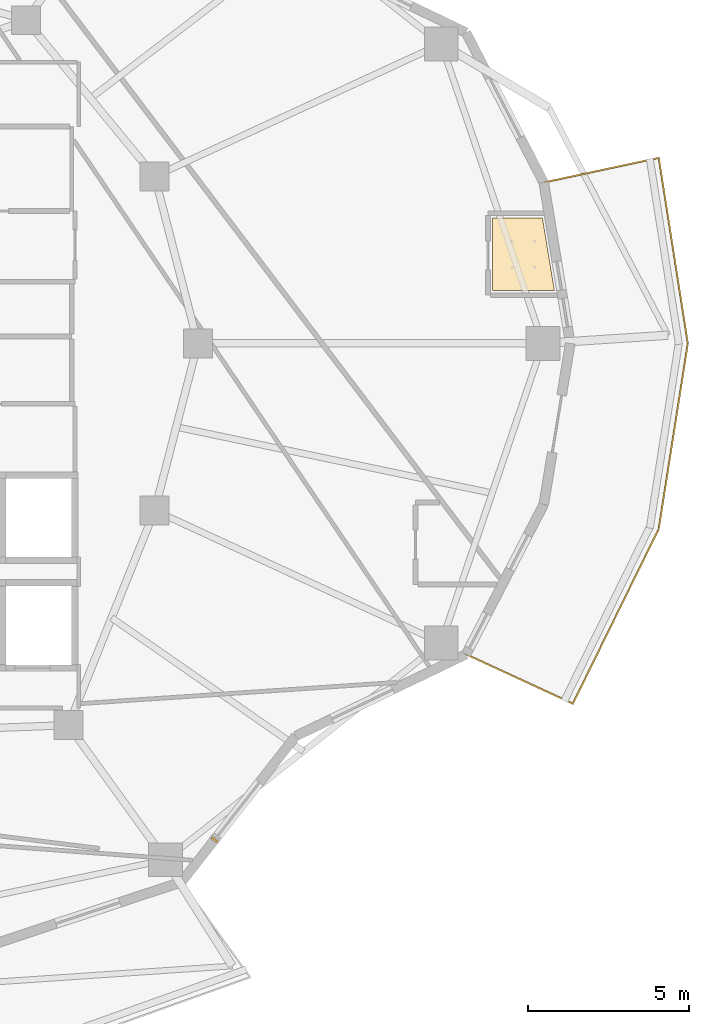
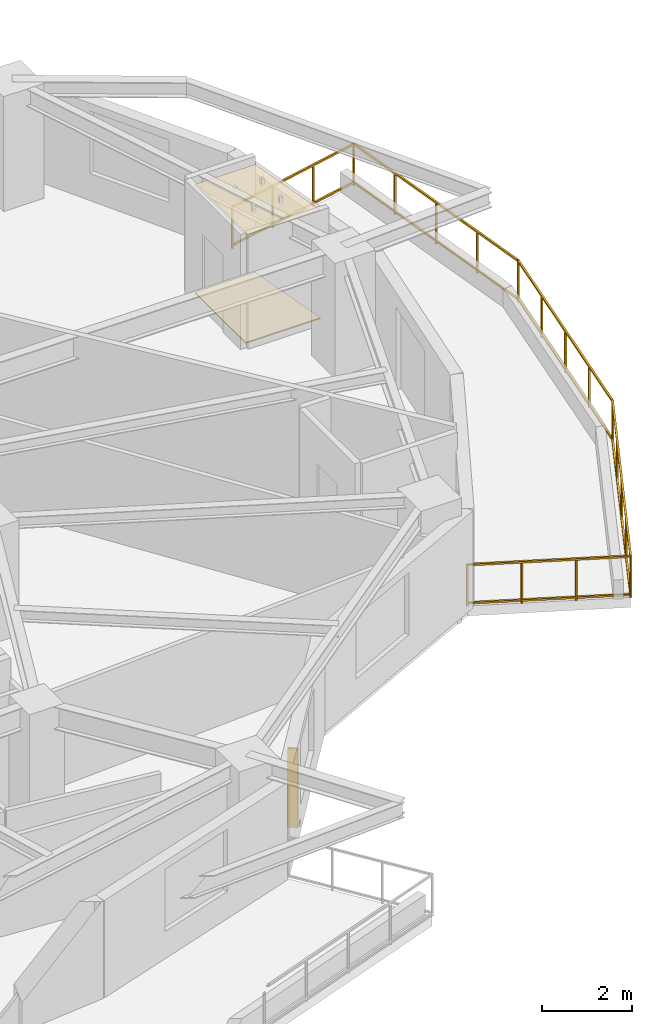
# One storey, part 15 of 17: 2 coverings, 1 railing, 1 shading device.
"""IFC4 building model written with IfcOpenShell, lengths in metres."""

from ifc_helpers import new_model, si_unit, direction, frame, origin, origin_2d, place, context, subcontext, project, spatial, polyline, rectangle, outline, extrude, material, layer, layer_set, type_object, element, save


model = new_model("IFC4")

# Units and contexts
model_context = context("Model", 3, precision=1e-05, world=origin(), true_north=direction((0.0, 1.0)))
body_context = subcontext(model_context, "Body", "Model", "MODEL_VIEW")
ifc_project = project(units=[si_unit("LENGTHUNIT", "METRE"), si_unit("AREAUNIT", "SQUARE_METRE"), si_unit("VOLUMEUNIT", "CUBIC_METRE"), si_unit("PLANEANGLEUNIT", "RADIAN"), si_unit("MASSUNIT", "GRAM", prefix="KILO")], contexts=[model_context])

# Site, building, storey
site_placement = place(None, origin())
site = spatial("IfcSite", under=ifc_project, at=site_placement, CompositionType="ELEMENT")
building_placement = place(site_placement, origin())
building = spatial("IfcBuilding", under=site, at=building_placement, Name="Kolvaren Gate Tower and Convention Centre", CompositionType="ELEMENT")
storey_placement = place(building_placement, frame((0.0, 0.0, 125.699951171875)))
storey = spatial("IfcBuildingStorey", under=building, at=storey_placement, Name="L31", CompositionType="ELEMENT", Elevation=125.699951171875)

# Coverings
ifc_material_1 = material(Name="Perforated Mineral-Fibre Acoustic Ceiling Tile 18 mm", Category="gypsum")
ifc_layer_1 = layer(ifc_material_1, 0.01806640625)
ifc_layer_set_1 = layer_set([ifc_layer_1], Name="Perforated Mineral-Fibre Acoustic Ceiling Tile 18 mm")
covering_type_1 = type_object("IfcCoveringType", Name="ARCH-COV-CEIL-18", PredefinedType="CEILING", material=ifc_layer_set_1)
covering_1_placement = place(storey_placement, frame((0.0, 0.0, 2.949951171875)))
element("IfcCovering", 1, at=covering_1_placement, inside=storey, type_object=covering_type_1, Name="En-suite Bathroom (HTL-L31-06) Acoustic Suspended Ceiling", PredefinedType="CEILING", context=body_context, shape_type="SweptSolid", body=[
    extrude(outline(polyline([(51.889892578125, 28.639892578125), (51.889892578125, 30.909912109375), (53.446044921875, 30.909912109375), (53.820068359375, 28.639892578125), (51.889892578125, 28.639892578125)])), origin(), (0.0, 0.0, 1.0), 0.01806640625),
])
ifc_material_2 = material(Name="Honed Sabana Limestone Terrazzo Flooring 30 mm", Category="masonry")
ifc_layer_2 = layer(ifc_material_2, 0.030029296875)
ifc_layer_set_2 = layer_set([ifc_layer_2], Name="Honed Sabana Limestone Terrazzo Flooring 30 mm")
covering_type_2 = type_object("IfcCoveringType", Name="ARCH-COV-FLR-30", PredefinedType="FLOORING", material=ifc_layer_set_2)
covering_2_placement = place(storey_placement, origin())
element("IfcCovering", 2, at=covering_2_placement, inside=storey, type_object=covering_type_2, Name="En-suite Bathroom (HTL-L31-06) Interior Finish Flooring", PredefinedType="FLOORING", context=body_context, shape_type="SweptSolid", body=[
    extrude(outline(polyline([(51.889892578125, 28.639892578125), (51.889892578125, 30.909912109375), (53.446044921875, 30.909912109375), (53.820068359375, 28.639892578125), (51.889892578125, 28.639892578125)])), origin(), (0.0, 0.0, 1.0), 0.030029296875),
])

# Railing
ifc_material_3 = material(Name="Brushed Stainless Steel Grade 316L", Category="steel")
railing_type = type_object("IfcRailingType", Name="ARCH-RL-GUARD-1150", PredefinedType="GUARDRAIL", material=ifc_material_3)
railing_placement = place(storey_placement, frame((51.072021484375, 17.324951171875, 0.0)))
element("IfcRailing", 3, at=railing_placement, inside=storey, type_object=railing_type, Name="Tower L31 Terrace Perimeter Guardrail GR-4", PredefinedType="GUARDRAIL", context=body_context, shape_type="SweptSolid", body=[
    extrude(rectangle(XDim=0.048095703125, YDim=0.048095703125, at=origin_2d()), frame((0.025390625, -0.01171875, 1.1259765625), z_axis=(0.907846116663, -0.419303503993, 0.0), x_axis=(0.419303503993, 0.907846116663, 0.0)), (0.0, 0.0, 1.0), 3.60400390625),
    extrude(rectangle(XDim=0.048095703125, YDim=0.048095703125, at=origin_2d()), frame((0.025390625, -0.01171875, 0.083984375), z_axis=(0.907846116663, -0.419303503993, 0.0), x_axis=(0.419303503993, 0.907846116663, 0.0)), (0.0, 0.0, 1.0), 3.60400390625),
    extrude(rectangle(XDim=0.048095703125, YDim=0.048095703125, at=origin_2d()), frame((3.335205078125, -1.509521484375, 1.1259765625), z_axis=(0.441237167293, 0.897390529368, 0.0), x_axis=(-0.897390529368, 0.441237167293, 0.0)), (0.0, 0.0, 1.0), 5.999755859375),
    extrude(rectangle(XDim=0.048095703125, YDim=0.048095703125, at=origin_2d()), frame((3.335205078125, -1.509521484375, 0.083984375), z_axis=(0.441237167293, 0.897390529368, 0.0), x_axis=(-0.897390529368, 0.441237167293, 0.0)), (0.0, 0.0, 1.0), 5.999755859375),
    extrude(rectangle(XDim=0.048095703125, YDim=0.048095703125, at=origin_2d()), frame((5.999267578125, 3.927490234375, 1.1259765625), z_axis=(0.154903030247, 0.987929679289, 0.0), x_axis=(-0.987929679289, 0.154903030247, 0.0)), (0.0, 0.0, 1.0), 5.78955078125),
    extrude(rectangle(XDim=0.048095703125, YDim=0.048095703125, at=origin_2d()), frame((5.999267578125, 3.927490234375, 0.083984375), z_axis=(0.154903030247, 0.987929679289, 0.0), x_axis=(-0.987929679289, 0.154903030247, 0.0)), (0.0, 0.0, 1.0), 5.78955078125),
    extrude(rectangle(XDim=0.048095703125, YDim=0.048095703125, at=origin_2d()), frame((6.89599609375, 9.70263671875, 1.1259765625), z_axis=(-0.154903030247, 0.987929679289, 0.0), x_axis=(-0.987929679289, -0.154903030247, 0.0)), (0.0, 0.0, 1.0), 5.78955078125),
    extrude(rectangle(XDim=0.048095703125, YDim=0.048095703125, at=origin_2d()), frame((6.89599609375, 9.70263671875, 0.083984375), z_axis=(-0.154903030247, 0.987929679289, 0.0), x_axis=(-0.987929679289, -0.154903030247, 0.0)), (0.0, 0.0, 1.0), 5.78955078125),
    extrude(rectangle(XDim=0.048095703125, YDim=0.048095703125, at=origin_2d()), frame((5.967529296875, 15.4443359375, 1.1259765625), z_axis=(-0.977788745232, -0.209592866525, 0.0), x_axis=(0.209592866525, -0.977788745232, 0.0)), (0.0, 0.0, 1.0), 3.603759765625),
    extrude(rectangle(XDim=0.048095703125, YDim=0.048095703125, at=origin_2d()), frame((5.967529296875, 15.4443359375, 0.083984375), z_axis=(-0.977788745232, -0.209592866525, 0.0), x_axis=(0.209592866525, -0.977788745232, 0.0)), (0.0, 0.0, 1.0), 3.603759765625),
    extrude(rectangle(XDim=0.0419921875, YDim=0.0419921875, at=origin_2d()), origin(), (0.0, 0.0, 1.0), 1.14990234375),
    extrude(rectangle(XDim=0.0419921875, YDim=0.0419921875, at=origin_2d()), frame((3.32275390625, -1.53466796875, 0.0)), (0.0, 0.0, 1.0), 1.14990234375),
    extrude(rectangle(XDim=0.0419921875, YDim=0.0419921875, at=origin_2d()), frame((1.107666015625, -0.511474609375, 0.0)), (0.0, 0.0, 1.0), 1.099853515625),
    extrude(rectangle(XDim=0.0419921875, YDim=0.0419921875, at=origin_2d()), frame((2.215087890625, -1.023193359375, 0.0)), (0.0, 0.0, 1.0), 1.099853515625),
    extrude(rectangle(XDim=0.0419921875, YDim=0.0419921875, at=origin_2d()), frame((5.994873046875, 3.89990234375, 0.0)), (0.0, 0.0, 1.0), 1.14990234375),
    extrude(rectangle(XDim=0.0419921875, YDim=0.0419921875, at=origin_2d()), frame((3.99072265625, -0.176025390625, 0.0)), (0.0, 0.0, 1.0), 1.099853515625),
    extrude(rectangle(XDim=0.0419921875, YDim=0.0419921875, at=origin_2d()), frame((4.65869140625, 1.1826171875, 0.0)), (0.0, 0.0, 1.0), 1.099853515625),
    extrude(rectangle(XDim=0.0419921875, YDim=0.0419921875, at=origin_2d()), frame((5.326904296875, 2.541259765625, 0.0)), (0.0, 0.0, 1.0), 1.099853515625),
    extrude(rectangle(XDim=0.0419921875, YDim=0.0419921875, at=origin_2d()), frame((6.900390625, 9.675048828125, 0.0)), (0.0, 0.0, 1.0), 1.14990234375),
    extrude(rectangle(XDim=0.0419921875, YDim=0.0419921875, at=origin_2d()), frame((6.22119140625, 5.34375, 0.0)), (0.0, 0.0, 1.0), 1.099853515625),
    extrude(rectangle(XDim=0.0419921875, YDim=0.0419921875, at=origin_2d()), frame((6.44775390625, 6.78759765625, 0.0)), (0.0, 0.0, 1.0), 1.099853515625),
    extrude(rectangle(XDim=0.0419921875, YDim=0.0419921875, at=origin_2d()), frame((6.674072265625, 8.231201171875, 0.0)), (0.0, 0.0, 1.0), 1.099853515625),
    extrude(rectangle(XDim=0.0419921875, YDim=0.0419921875, at=origin_2d()), frame((5.994873046875, 15.4501953125, 0.0)), (0.0, 0.0, 1.0), 1.14990234375),
    extrude(rectangle(XDim=0.0419921875, YDim=0.0419921875, at=origin_2d()), frame((6.674072265625, 11.118896484375, 0.0)), (0.0, 0.0, 1.0), 1.099853515625),
    extrude(rectangle(XDim=0.0419921875, YDim=0.0419921875, at=origin_2d()), frame((6.44775390625, 12.5625, 0.0)), (0.0, 0.0, 1.0), 1.099853515625),
    extrude(rectangle(XDim=0.0419921875, YDim=0.0419921875, at=origin_2d()), frame((6.22119140625, 14.00634765625, 0.0)), (0.0, 0.0, 1.0), 1.099853515625),
    extrude(rectangle(XDim=0.0419921875, YDim=0.0419921875, at=origin_2d()), frame((2.416259765625, 14.68310546875, 0.0)), (0.0, 0.0, 1.0), 1.14990234375),
    extrude(rectangle(XDim=0.0419921875, YDim=0.0419921875, at=origin_2d()), frame((4.802001953125, 15.194580078125, 0.0)), (0.0, 0.0, 1.0), 1.099853515625),
    extrude(rectangle(XDim=0.0419921875, YDim=0.0419921875, at=origin_2d()), frame((3.609130859375, 14.938720703125, 0.0)), (0.0, 0.0, 1.0), 1.099853515625),
])

# Shading device
ifc_material_4 = material(Name="Kiln-Fired Bogota Terracotta Ceramic Louvre Profile", Category="masonry")
shading_device_type = type_object("IfcShadingDeviceType", Name="ARCH-SHD-FIN-180", PredefinedType="JALOUSIE", material=ifc_material_4)
shading_device_placement = place(storey_placement, frame((43.24755859375, 11.556640625, 0.22021484375), z_axis=(0.0, 0.0, 1.0), x_axis=(0.616424499081, 0.787414018756, 0.0)))
element("IfcShadingDevice", 4, at=shading_device_placement, inside=storey, type_object=shading_device_type, Name="Ceramic Vertical Brise-Soleil Fin FN-L31-20", PredefinedType="JALOUSIE", context=body_context, shape_type="SweptSolid", body=[
    extrude(rectangle(XDim=0.06005859375, YDim=0.239990234375, at=origin_2d()), origin(), (0.0, 0.0, 1.0), 2.14990234375),
])

save(model, "model.ifc")
